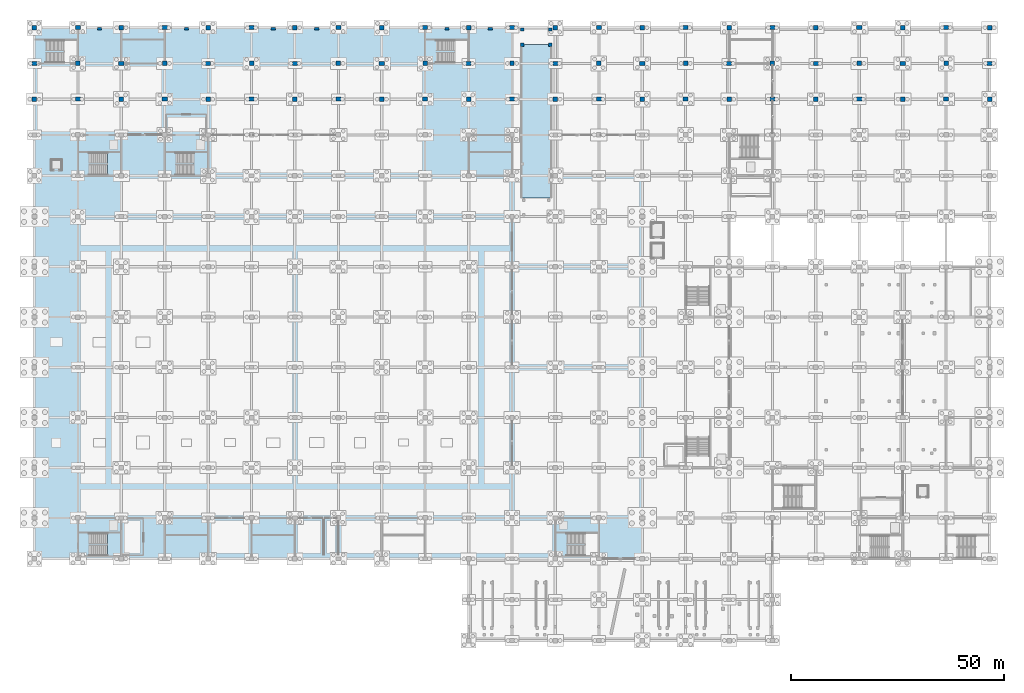
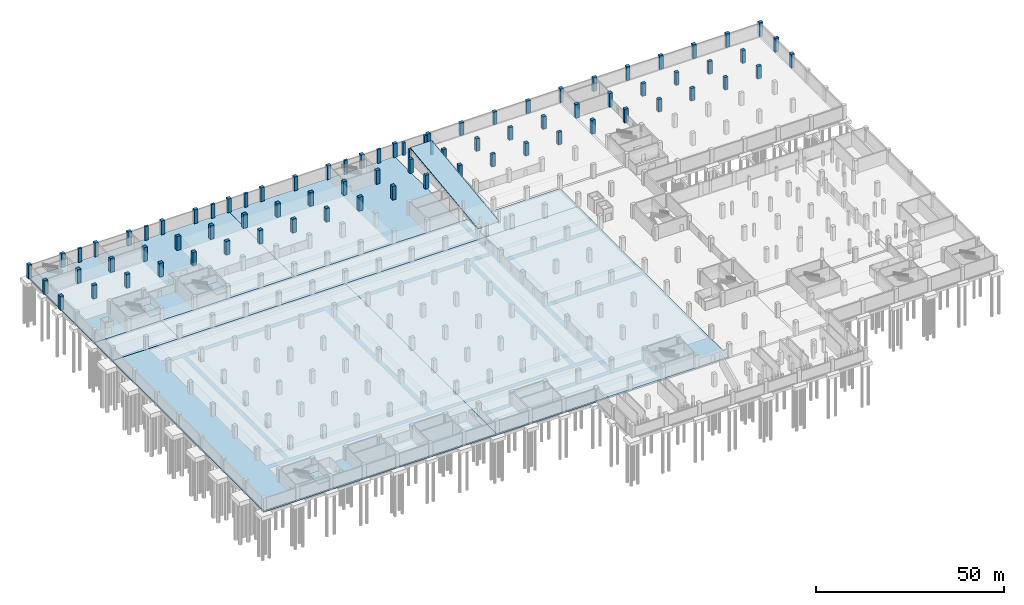
# One storey, part 25 of 52: 79 columns, 10 slabs, 3 elements without a shape of their own.
"""IFC4 building model written with IfcOpenShell, lengths in metres."""

from ifc_helpers import new_model, si_unit, direction, frame, origin, origin_2d, place, context, subcontext, project, spatial, polyline, rectangle, outline, extrude, material, layer, layer_set, material_profile, profile_set, type_object, element, aggregate, save


model = new_model("IFC4")

# Units and contexts
model_context = context("Model", 3, precision=1e-05, world=origin(), true_north=direction((0.0, 1.0)))
body_context = subcontext(model_context, "Body", "Model", "MODEL_VIEW")
ifc_project = project(units=[si_unit("LENGTHUNIT", "METRE"), si_unit("AREAUNIT", "SQUARE_METRE"), si_unit("VOLUMEUNIT", "CUBIC_METRE"), si_unit("PLANEANGLEUNIT", "RADIAN"), si_unit("MASSUNIT", "GRAM", prefix="KILO")], contexts=[model_context])

# Site, building, storey
site_placement = place(None, origin())
site = spatial("IfcSite", under=ifc_project, at=site_placement, CompositionType="ELEMENT")
building_placement = place(site_placement, origin())
building = spatial("IfcBuilding", under=site, at=building_placement, Name="Brelvane Convention Centre", CompositionType="ELEMENT")
storey_placement = place(building_placement, frame((0.0, 0.0, -4.5)))
storey = spatial("IfcBuildingStorey", under=building, at=storey_placement, Name="B1", CompositionType="ELEMENT", Elevation=-4.5)

# Columns
ifc_material_1 = material(Name="Concrete M50", Category="concrete")
ifc_material_profile_1 = material_profile(ifc_material_1, rectangle(XDim=1.050048828125, YDim=1.050048828125, at=origin_2d()), Name="RC 1050x1050")
ifc_profile_set_1 = profile_set([ifc_material_profile_1], Name="Concrete M50")
column_type_1 = type_object("IfcColumnType", Name="RC Column C-RC1 (RC 1050x1050)", PredefinedType="COLUMN", material=ifc_profile_set_1)
for number, where, z_axis, x_axis, name in (
    (1, (0.0, 127.199951171875, 0.0), (0.0, 0.0, 1.0), (1.0, 0.0, 0.0), "Column 1-N (B1)"),
    (2, (0.0, 144.0, 0.0), (0.0, 0.0, 1.0), (1.0, 0.0, 0.0), "Column 1-Q (B1)"),
    (3, (10.199951171875, 135.60009765625, 0.0), (0.0, 0.0, 1.0), (1.0, 0.0, 0.0), "Column 2-P (B1)"),
    (4, (20.39990234375, 127.199951171875, 0.0), (0.0, 0.0, 1.0), (1.0, 0.0, 0.0), "Column 3-N (B1)"),
    (5, (20.39990234375, 144.0, 0.0), (0.0, 0.0, 1.0), (1.0, 0.0, 0.0), "Column 3-Q (B1)"),
    (6, (30.60009765625, 135.60009765625, 0.0), (0.0, 0.0, 1.0), (1.0, 0.0, 0.0), "Column 4-P (B1)"),
    (7, (40.800048828125, 127.199951171875, 0.0), (0.0, 0.0, 1.0), (1.0, 0.0, 0.0), "Column 5-N (B1)"),
    (8, (40.800048828125, 144.0, 0.0), (0.0, 0.0, 1.0), (1.0, 0.0, 0.0), "Column 5-Q (B1)"),
    (9, (51.0, 135.60009765625, 0.0), (0.0, 0.0, 1.0), (1.0, 0.0, 0.0), "Column 6-P (B1)"),
    (10, (61.199951171875, 127.199951171875, 0.0), (0.0, 0.0, 1.0), (1.0, 0.0, 0.0), "Column 7-N (B1)"),
    (11, (61.199951171875, 144.0, 0.0), (0.0, 0.0, 1.0), (1.0, 0.0, 0.0), "Column 7-Q (B1)"),
    (12, (71.39990234375, 135.60009765625, 0.0), (0.0, 0.0, 1.0), (1.0, 0.0, 0.0), "Column 8-P (B1)"),
    (13, (81.60009765625, 127.199951171875, 0.0), (0.0, 0.0, 1.0), (1.0, 0.0, 0.0), "Column 9-N (B1)"),
    (14, (81.60009765625, 144.0, 0.0), (0.0, 0.0, 1.0), (1.0, 0.0, 0.0), "Column 9-Q (B1)"),
    (15, (91.800048828125, 135.60009765625, 0.0), (0.0, 0.0, 1.0), (1.0, 0.0, 0.0), "Column 10-P (B1)"),
    (16, (102.0, 127.199951171875, 0.0), (0.0, 0.0, 1.0), (1.0, 0.0, 0.0), "Column 11-N (B1)"),
    (17, (102.0, 144.0, 0.0), (0.0, 0.0, 1.0), (1.0, 0.0, 0.0), "Column 11-Q (B1)"),
    (18, (112.199951171875, 135.60009765625, 0.0), (0.0, 0.0, 1.0), (1.0, 0.0, 0.0), "Column 12-P (B1)"),
):
    element("IfcColumn", number, at=place(storey_placement, frame(where, z_axis=z_axis, x_axis=x_axis)), inside=storey, type_object=column_type_1, Name=name, PredefinedType="COLUMN", context=body_context, shape_type="SweptSolid", body=[
        extrude(rectangle(XDim=1.050048828125, YDim=1.050048828125, at=origin_2d()), origin(), (0.0, 0.0, 1.0), 4.5),
    ])
for number, where, z_axis, x_axis, name in (
    (19, (122.39990234375, 127.199951171875, 0.0), (0.0, 0.0, 1.0), (1.0, 0.0, 0.0), "Column 13-N (B1)"),
    (20, (122.39990234375, 144.0, 0.0), (0.0, 0.0, 1.0), (1.0, 0.0, 0.0), "Column 13-Q (B1)"),
    (21, (132.60009765625, 135.60009765625, 0.0), (0.0, 0.0, 1.0), (1.0, 0.0, 0.0), "Column 14-P (B1)"),
    (22, (142.800048828125, 127.199951171875, 0.0), (0.0, 0.0, 1.0), (1.0, 0.0, 0.0), "Column 15-N (B1)"),
    (23, (142.800048828125, 144.0, 0.0), (0.0, 0.0, 1.0), (1.0, 0.0, 0.0), "Column 15-Q (B1)"),
    (24, (153.0, 135.60009765625, 0.0), (0.0, 0.0, 1.0), (1.0, 0.0, 0.0), "Column 16-P (B1)"),
):
    element("IfcColumn", number, at=place(storey_placement, frame(where, z_axis=z_axis, x_axis=x_axis)), inside=storey, type_object=column_type_1, Name=name, PredefinedType="COLUMN", context=body_context, shape_type="SweptSolid", body=[
        extrude(rectangle(XDim=1.050048828125, YDim=1.050048828125, at=origin_2d()), origin(), (0.0, 0.0, 1.0), 4.10009765625),
    ])
for number, where, z_axis, x_axis, name in (
    (25, (163.199951171875, 127.199951171875, 0.0), (0.0, 0.0, 1.0), (1.0, 0.0, 0.0), "Column 17-N (B1)"),
    (26, (163.199951171875, 144.0, 0.0), (0.0, 0.0, 1.0), (1.0, 0.0, 0.0), "Column 17-Q (B1)"),
    (27, (173.39990234375, 135.60009765625, 0.0), (0.0, 0.0, 1.0), (1.0, 0.0, 0.0), "Column 18-P (B1)"),
):
    element("IfcColumn", number, at=place(storey_placement, frame(where, z_axis=z_axis, x_axis=x_axis)), inside=storey, type_object=column_type_1, Name=name, PredefinedType="COLUMN", context=body_context, shape_type="SweptSolid", body=[
        extrude(rectangle(XDim=1.050048828125, YDim=1.050048828125, at=origin_2d()), origin(), (0.0, 0.0, 1.0), 4.5),
    ])
column_1_placement = place(storey_placement, frame((183.60009765625, 127.199951171875, 0.0), z_axis=(0.0, 0.0, 1.0), x_axis=(1.0, 0.0, 0.0)))
element("IfcColumn", 28, at=column_1_placement, inside=storey, type_object=column_type_1, Name="Column 19-N (B1)", PredefinedType="COLUMN", context=body_context, shape_type="SweptSolid", body=[
    extrude(rectangle(XDim=1.050048828125, YDim=1.050048828125, at=origin_2d()), origin(), (0.0, 0.0, 1.0), 4.054931640625),
])
column_2_placement = place(storey_placement, frame((183.60009765625, 144.0, 0.0), z_axis=(0.0, 0.0, 1.0), x_axis=(1.0, 0.0, 0.0)))
element("IfcColumn", 29, at=column_2_placement, inside=storey, type_object=column_type_1, Name="Column 19-Q (B1)", PredefinedType="COLUMN", context=body_context, shape_type="SweptSolid", body=[
    extrude(rectangle(XDim=1.050048828125, YDim=1.050048828125, at=origin_2d()), origin(), (0.0, 0.0, 1.0), 4.5),
])
for number, where, z_axis, x_axis, name in (
    (30, (193.800048828125, 135.60009765625, 0.0), (0.0, 0.0, 1.0), (1.0, 0.0, 0.0), "Column 20-P (B1)"),
    (31, (204.0, 127.199951171875, 0.0), (0.0, 0.0, 1.0), (1.0, 0.0, 0.0), "Column 21-N (B1)"),
):
    element("IfcColumn", number, at=place(storey_placement, frame(where, z_axis=z_axis, x_axis=x_axis)), inside=storey, type_object=column_type_1, Name=name, PredefinedType="COLUMN", context=body_context, shape_type="SweptSolid", body=[
        extrude(rectangle(XDim=1.050048828125, YDim=1.050048828125, at=origin_2d()), origin(), (0.0, 0.0, 1.0), 4.054931640625),
    ])
column_3_placement = place(storey_placement, frame((204.0, 144.0, 0.0), z_axis=(0.0, 0.0, 1.0), x_axis=(1.0, 0.0, 0.0)))
element("IfcColumn", 32, at=column_3_placement, inside=storey, type_object=column_type_1, Name="Column 21-Q (B1)", PredefinedType="COLUMN", context=body_context, shape_type="SweptSolid", body=[
    extrude(rectangle(XDim=1.050048828125, YDim=1.050048828125, at=origin_2d()), origin(), (0.0, 0.0, 1.0), 4.5),
])
column_4_placement = place(storey_placement, frame((214.199951171875, 135.60009765625, 0.0), z_axis=(0.0, 0.0, 1.0), x_axis=(1.0, 0.0, 0.0)))
element("IfcColumn", 33, at=column_4_placement, inside=storey, type_object=column_type_1, Name="Column 22-P (B1)", PredefinedType="COLUMN", context=body_context, shape_type="SweptSolid", body=[
    extrude(rectangle(XDim=1.050048828125, YDim=1.050048828125, at=origin_2d()), origin(), (0.0, 0.0, 1.0), 4.054931640625),
])
for number, where, z_axis, x_axis, name in (
    (34, (224.39990234375, 127.199951171875, 0.0), (0.0, 0.0, 1.0), (1.0, 0.0, 0.0), "Column 23-N (B1)"),
    (35, (224.39990234375, 144.0, 0.0), (0.0, 0.0, 1.0), (1.0, 0.0, 0.0), "Column 23-Q (B1)"),
):
    element("IfcColumn", number, at=place(storey_placement, frame(where, z_axis=z_axis, x_axis=x_axis)), inside=storey, type_object=column_type_1, Name=name, PredefinedType="COLUMN", context=body_context, shape_type="SweptSolid", body=[
        extrude(rectangle(XDim=1.050048828125, YDim=1.050048828125, at=origin_2d()), origin(), (0.0, 0.0, 1.0), 4.5),
    ])
ifc_material_2 = material(Name="Concrete M50", Category="concrete")
ifc_material_profile_2 = material_profile(ifc_material_2, rectangle(XDim=0.75, YDim=0.75, at=origin_2d()), Name="RC 750x750")
ifc_profile_set_2 = profile_set([ifc_material_profile_2], Name="Concrete M50")
column_type_2 = type_object("IfcColumnType", Name="RC Column C-RC3 (RC 750x750)", PredefinedType="COLUMN", material=ifc_profile_set_2)
for number, where, z_axis, x_axis, name in (
    (36, (114.60009765625, 140.0, 0.0), (0.0, 0.0, 1.0), (1.0, 0.0, 0.0), "Service Ramp Apron Support Column 2"),
    (37, (121.199951171875, 140.0, 0.0), (0.0, 0.0, 1.0), (1.0, 0.0, 0.0), "Service Ramp Apron Support Column 3"),
    (38, (114.60009765625, 143.60009765625, 0.0), (0.0, 0.0, 1.0), (1.0, 0.0, 0.0), "Service Ramp Apron Support Column 4"),
    (39, (121.199951171875, 143.60009765625, 0.0), (0.0, 0.0, 1.0), (1.0, 0.0, 0.0), "Service Ramp Apron Support Column 5"),
):
    element("IfcColumn", number, at=place(storey_placement, frame(where, z_axis=z_axis, x_axis=x_axis)), inside=storey, type_object=column_type_2, Name=name, PredefinedType="COLUMN", context=body_context, shape_type="SweptSolid", body=[
        extrude(rectangle(XDim=0.75, YDim=0.75, at=origin_2d()), origin(), (0.0, 0.0, 1.0), 4.10009765625),
    ])
ifc_material_3 = material(Name="Concrete M50", Category="concrete")
ifc_material_profile_3 = material_profile(ifc_material_3, rectangle(XDim=1.199951171875, YDim=0.89990234375, at=origin_2d()), Name="RC 1200x900")
ifc_profile_set_3 = profile_set([ifc_material_profile_3], Name="Concrete M50")
column_type_3 = type_object("IfcColumnType", Name="RC Column C-RC5 (RC 1200x900)", PredefinedType="COLUMN", material=ifc_profile_set_3)
for number, where, z_axis, x_axis, name in (
    (40, (0.0, 135.60009765625, 0.0), (0.0, 0.0, 1.0), (1.0, 0.0, 0.0), "Column 1-P (B1)"),
    (41, (10.199951171875, 127.199951171875, 0.0), (0.0, 0.0, 1.0), (1.0, 0.0, 0.0), "Column 2-N (B1)"),
    (42, (10.199951171875, 144.0, 0.0), (0.0, 0.0, 1.0), (1.0, 0.0, 0.0), "Column 2-Q (B1)"),
    (43, (20.39990234375, 135.60009765625, 0.0), (0.0, 0.0, 1.0), (1.0, 0.0, 0.0), "Column 3-P (B1)"),
    (44, (30.60009765625, 127.199951171875, 0.0), (0.0, 0.0, 1.0), (1.0, 0.0, 0.0), "Column 4-N (B1)"),
    (45, (30.60009765625, 144.0, 0.0), (0.0, 0.0, 1.0), (1.0, 0.0, 0.0), "Column 4-Q (B1)"),
    (46, (40.800048828125, 135.60009765625, 0.0), (0.0, 0.0, 1.0), (1.0, 0.0, 0.0), "Column 5-P (B1)"),
    (47, (51.0, 127.199951171875, 0.0), (0.0, 0.0, 1.0), (1.0, 0.0, 0.0), "Column 6-N (B1)"),
    (48, (51.0, 144.0, 0.0), (0.0, 0.0, 1.0), (1.0, 0.0, 0.0), "Column 6-Q (B1)"),
    (49, (61.199951171875, 135.60009765625, 0.0), (0.0, 0.0, 1.0), (1.0, 0.0, 0.0), "Column 7-P (B1)"),
    (50, (71.39990234375, 127.199951171875, 0.0), (0.0, 0.0, 1.0), (1.0, 0.0, 0.0), "Column 8-N (B1)"),
    (51, (71.39990234375, 144.0, 0.0), (0.0, 0.0, 1.0), (1.0, 0.0, 0.0), "Column 8-Q (B1)"),
    (52, (81.60009765625, 135.60009765625, 0.0), (0.0, 0.0, 1.0), (1.0, 0.0, 0.0), "Column 9-P (B1)"),
    (53, (91.800048828125, 127.199951171875, 0.0), (0.0, 0.0, 1.0), (1.0, 0.0, 0.0), "Column 10-N (B1)"),
    (54, (91.800048828125, 144.0, 0.0), (0.0, 0.0, 1.0), (1.0, 0.0, 0.0), "Column 10-Q (B1)"),
    (55, (102.0, 135.60009765625, 0.0), (0.0, 0.0, 1.0), (1.0, 0.0, 0.0), "Column 11-P (B1)"),
    (56, (112.199951171875, 127.199951171875, 0.0), (0.0, 0.0, 1.0), (1.0, 0.0, 0.0), "Column 12-N (B1)"),
    (57, (112.199951171875, 144.0, 0.0), (0.0, 0.0, 1.0), (1.0, 0.0, 0.0), "Column 12-Q (B1)"),
):
    element("IfcColumn", number, at=place(storey_placement, frame(where, z_axis=z_axis, x_axis=x_axis)), inside=storey, type_object=column_type_3, Name=name, PredefinedType="COLUMN", context=body_context, shape_type="SweptSolid", body=[
        extrude(rectangle(XDim=1.199951171875, YDim=0.89990234375, at=origin_2d()), origin(), (0.0, 0.0, 1.0), 4.5),
    ])
for number, where, z_axis, x_axis, name in (
    (58, (122.39990234375, 135.60009765625, 0.0), (0.0, 0.0, 1.0), (1.0, 0.0, 0.0), "Column 13-P (B1)"),
    (59, (132.60009765625, 127.199951171875, 0.0), (0.0, 0.0, 1.0), (1.0, 0.0, 0.0), "Column 14-N (B1)"),
    (60, (132.60009765625, 144.0, 0.0), (0.0, 0.0, 1.0), (1.0, 0.0, 0.0), "Column 14-Q (B1)"),
    (61, (142.800048828125, 135.60009765625, 0.0), (0.0, 0.0, 1.0), (1.0, 0.0, 0.0), "Column 15-P (B1)"),
    (62, (153.0, 127.199951171875, 0.0), (0.0, 0.0, 1.0), (1.0, 0.0, 0.0), "Column 16-N (B1)"),
    (63, (153.0, 144.0, 0.0), (0.0, 0.0, 1.0), (1.0, 0.0, 0.0), "Column 16-Q (B1)"),
):
    element("IfcColumn", number, at=place(storey_placement, frame(where, z_axis=z_axis, x_axis=x_axis)), inside=storey, type_object=column_type_3, Name=name, PredefinedType="COLUMN", context=body_context, shape_type="SweptSolid", body=[
        extrude(rectangle(XDim=1.199951171875, YDim=0.89990234375, at=origin_2d()), origin(), (0.0, 0.0, 1.0), 4.10009765625),
    ])
for number, where, z_axis, x_axis, name in (
    (64, (163.199951171875, 135.60009765625, 0.0), (0.0, 0.0, 1.0), (1.0, 0.0, 0.0), "Column 17-P (B1)"),
    (65, (173.39990234375, 127.199951171875, 0.0), (0.0, 0.0, 1.0), (1.0, 0.0, 0.0), "Column 18-N (B1)"),
    (66, (173.39990234375, 144.0, 0.0), (0.0, 0.0, 1.0), (1.0, 0.0, 0.0), "Column 18-Q (B1)"),
):
    element("IfcColumn", number, at=place(storey_placement, frame(where, z_axis=z_axis, x_axis=x_axis)), inside=storey, type_object=column_type_3, Name=name, PredefinedType="COLUMN", context=body_context, shape_type="SweptSolid", body=[
        extrude(rectangle(XDim=1.199951171875, YDim=0.89990234375, at=origin_2d()), origin(), (0.0, 0.0, 1.0), 4.5),
    ])
for number, where, z_axis, x_axis, name in (
    (67, (183.60009765625, 135.60009765625, 0.0), (0.0, 0.0, 1.0), (1.0, 0.0, 0.0), "Column 19-P (B1)"),
    (68, (193.800048828125, 127.199951171875, 0.0), (0.0, 0.0, 1.0), (1.0, 0.0, 0.0), "Column 20-N (B1)"),
):
    element("IfcColumn", number, at=place(storey_placement, frame(where, z_axis=z_axis, x_axis=x_axis)), inside=storey, type_object=column_type_3, Name=name, PredefinedType="COLUMN", context=body_context, shape_type="SweptSolid", body=[
        extrude(rectangle(XDim=1.199951171875, YDim=0.89990234375, at=origin_2d()), origin(), (0.0, 0.0, 1.0), 4.054931640625),
    ])
column_5_placement = place(storey_placement, frame((193.800048828125, 144.0, 0.0), z_axis=(0.0, 0.0, 1.0), x_axis=(1.0, 0.0, 0.0)))
element("IfcColumn", 69, at=column_5_placement, inside=storey, type_object=column_type_3, Name="Column 20-Q (B1)", PredefinedType="COLUMN", context=body_context, shape_type="SweptSolid", body=[
    extrude(rectangle(XDim=1.199951171875, YDim=0.89990234375, at=origin_2d()), origin(), (0.0, 0.0, 1.0), 4.5),
])
for number, where, z_axis, x_axis, name in (
    (70, (204.0, 135.60009765625, 0.0), (0.0, 0.0, 1.0), (1.0, 0.0, 0.0), "Column 21-P (B1)"),
    (71, (214.199951171875, 127.199951171875, 0.0), (0.0, 0.0, 1.0), (1.0, 0.0, 0.0), "Column 22-N (B1)"),
):
    element("IfcColumn", number, at=place(storey_placement, frame(where, z_axis=z_axis, x_axis=x_axis)), inside=storey, type_object=column_type_3, Name=name, PredefinedType="COLUMN", context=body_context, shape_type="SweptSolid", body=[
        extrude(rectangle(XDim=1.199951171875, YDim=0.89990234375, at=origin_2d()), origin(), (0.0, 0.0, 1.0), 4.054931640625),
    ])
for number, where, z_axis, x_axis, name in (
    (72, (214.199951171875, 144.0, 0.0), (0.0, 0.0, 1.0), (1.0, 0.0, 0.0), "Column 22-Q (B1)"),
    (73, (224.39990234375, 135.60009765625, 0.0), (0.0, 0.0, 1.0), (1.0, 0.0, 0.0), "Column 23-P (B1)"),
):
    element("IfcColumn", number, at=place(storey_placement, frame(where, z_axis=z_axis, x_axis=x_axis)), inside=storey, type_object=column_type_3, Name=name, PredefinedType="COLUMN", context=body_context, shape_type="SweptSolid", body=[
        extrude(rectangle(XDim=1.199951171875, YDim=0.89990234375, at=origin_2d()), origin(), (0.0, 0.0, 1.0), 4.5),
    ])
ifc_material_4 = material(Name="Concrete M50", Category="concrete")
ifc_material_profile_4 = material_profile(ifc_material_4, rectangle(XDim=1.0, YDim=0.60009765625, at=origin_2d()), Name="RC 1000x600")
ifc_profile_set_4 = profile_set([ifc_material_profile_4], Name="Concrete M50")
column_type_4 = type_object("IfcColumnType", Name="RC Column PL-RC1 (RC 1000x600)", PredefinedType="PILASTER", material=ifc_profile_set_4)
for number, where, z_axis, x_axis, name in (
    (74, (15.300048828125, 143.699951171875, 0.0), (0.0, 0.0, 1.0), (1.0, 0.0, 0.0), "Rear Wing Structural Pier P1 (B1)"),
    (75, (35.699951171875, 143.699951171875, 0.0), (0.0, 0.0, 1.0), (1.0, 0.0, 0.0), "Rear Wing Structural Pier P2 (B1)"),
    (76, (56.10009765625, 143.699951171875, 0.0), (0.0, 0.0, 1.0), (1.0, 0.0, 0.0), "Rear Wing Structural Pier P3 (B1)"),
    (77, (66.300048828125, 143.699951171875, 0.0), (0.0, 0.0, 1.0), (1.0, 0.0, 0.0), "Rear Wing Structural Pier P4 (B1)"),
    (78, (96.89990234375, 143.699951171875, 0.0), (0.0, 0.0, 1.0), (1.0, 0.0, 0.0), "Rear Wing Structural Pier P5 (B1)"),
    (79, (107.10009765625, 143.699951171875, 0.0), (0.0, 0.0, 1.0), (1.0, 0.0, 0.0), "Rear Wing Structural Pier P6 (B1)"),
):
    element("IfcColumn", number, at=place(storey_placement, frame(where, z_axis=z_axis, x_axis=x_axis)), inside=storey, type_object=column_type_4, Name=name, PredefinedType="PILASTER", context=body_context, shape_type="SweptSolid", body=[
        extrude(rectangle(XDim=1.0, YDim=0.60009765625, at=origin_2d()), origin(), (0.0, 0.0, 1.0), 4.5),
    ])

# Stair, slab
ifc_material_5 = material(Name="Concrete M40", Category="concrete")
stair_type = type_object("IfcStairType", Name="Exit Stair ST-CORE", PredefinedType="HALF_TURN_STAIR", material=ifc_material_5)
stair_1_placement = place(storey_placement, origin())
stair_1 = element("IfcStair", 80, at=stair_1_placement, inside=storey, type_object=stair_type, Name="Exit Stair ST-01 (B1 to L00)", PredefinedType="HALF_TURN_STAIR")
ifc_material_6 = material(Name="Concrete M40", Category="concrete")
ifc_layer_1 = layer(ifc_material_6, 0.199951171875)
ifc_layer_set_1 = layer_set([ifc_layer_1], Name="Concrete M40")
slab_type_1 = type_object("IfcSlabType", Name="Stair Landing SL-LND-200", PredefinedType="LANDING", material=ifc_layer_set_1)
slab_1_placement = place(storey_placement, frame((0.0, 0.0, 2.050048828125)))
slab_1 = element("IfcSlab", 81, at=slab_1_placement, type_object=slab_type_1, Name="Stair ST-01 B1 Half Landing", PredefinedType="LANDING", context=body_context, shape_type="SweptSolid", body=[
    extrude(outline(polyline([(17.1298828125, 19.8798828125), (20.320068359375, 19.8798828125), (20.320068359375, 25.320068359375), (17.1298828125, 25.320068359375), (17.1298828125, 19.8798828125)])), origin(), (0.0, 0.0, 1.0), 0.199951171875),
])
aggregate(stair_1, [slab_1])

stair_2_placement = place(storey_placement, origin())
stair_2 = element("IfcStair", 82, at=stair_2_placement, inside=storey, type_object=stair_type, Name="Exit Stair ST-06 (B1 to L00)", PredefinedType="HALF_TURN_STAIR")
slab_2_placement = place(storey_placement, frame((0.0, 0.0, 2.050048828125)))
slab_2 = element("IfcSlab", 83, at=slab_2_placement, type_object=slab_type_1, Name="Stair ST-06 B1 Half Landing", PredefinedType="LANDING", context=body_context, shape_type="SweptSolid", body=[
    extrude(outline(polyline([(17.1298828125, 109.280029296875), (20.320068359375, 109.280029296875), (20.320068359375, 114.719970703125), (17.1298828125, 114.719970703125), (17.1298828125, 109.280029296875)])), origin(), (0.0, 0.0, 1.0), 0.199951171875),
])
aggregate(stair_2, [slab_2])

stair_3_placement = place(storey_placement, origin())
stair_3 = element("IfcStair", 84, at=stair_3_placement, inside=storey, type_object=stair_type, Name="Exit Stair ST-07 (B1 to L00)", PredefinedType="HALF_TURN_STAIR")
slab_3_placement = place(storey_placement, frame((0.0, 0.0, 2.050048828125)))
slab_3 = element("IfcSlab", 85, at=slab_3_placement, type_object=slab_type_1, Name="Stair ST-07 B1 Half Landing", PredefinedType="LANDING", context=body_context, shape_type="SweptSolid", body=[
    extrude(outline(polyline([(37.530029296875, 109.280029296875), (40.719970703125, 109.280029296875), (40.719970703125, 114.719970703125), (37.530029296875, 114.719970703125), (37.530029296875, 109.280029296875)])), origin(), (0.0, 0.0, 1.0), 0.199951171875),
])
aggregate(stair_3, [slab_3])

# Slabs
ifc_material_7 = material(Name="Concrete M40", Category="concrete")
ifc_layer_2 = layer(ifc_material_7, 0.449951171875)
ifc_layer_set_2 = layer_set([ifc_layer_2], Name="Concrete M40")
slab_type_2 = type_object("IfcSlabType", Name="Structural Slab SL-MAT-450", PredefinedType="BASESLAB", material=ifc_layer_set_2)
slab_4_placement = place(storey_placement, frame((0.0, 0.0, -0.449951171875)))
element("IfcSlab", 86, at=slab_4_placement, inside=storey, type_object=slab_type_2, Name="B1 Mat Slab V1W", PredefinedType="BASESLAB", context=body_context, shape_type="SweptSolid", body=[
    extrude(outline(polyline([(0.0, 19.199951171875), (71.39990234375, 19.199951171875), (71.39990234375, 99.60009765625), (0.0, 99.60009765625), (0.0, 19.199951171875)])), origin(), (0.0, 0.0, 1.0), 0.449951171875),
])
slab_5_placement = place(storey_placement, frame((0.0, 0.0, -0.449951171875)))
element("IfcSlab", 87, at=slab_5_placement, inside=storey, type_object=slab_type_2, Name="B1 Mat Slab V1E", PredefinedType="BASESLAB", context=body_context, shape_type="SweptSolid", body=[
    extrude(outline(polyline([(71.39990234375, 19.199951171875), (142.800048828125, 19.199951171875), (142.800048828125, 99.60009765625), (71.39990234375, 99.60009765625), (71.39990234375, 19.199951171875)])), origin(), (0.0, 0.0, 1.0), 0.449951171875),
])
slab_6_placement = place(storey_placement, frame((0.0, 0.0, -0.449951171875)))
element("IfcSlab", 88, at=slab_6_placement, inside=storey, type_object=slab_type_2, Name="B1 Mat Slab V4W", PredefinedType="BASESLAB", context=body_context, shape_type="SweptSolid", body=[
    extrude(outline(polyline([(0.0, 109.199951171875), (61.199951171875, 109.199951171875), (61.199951171875, 144.0), (0.0, 144.0), (0.0, 109.199951171875)])), origin(), (0.0, 0.0, 1.0), 0.449951171875),
])
slab_7_placement = place(storey_placement, frame((0.0, 0.0, -0.449951171875)))
element("IfcSlab", 89, at=slab_7_placement, inside=storey, type_object=slab_type_2, Name="B1 Mat Slab V4E", PredefinedType="BASESLAB", context=body_context, shape_type="SweptSolid", body=[
    extrude(outline(polyline([(61.199951171875, 109.199951171875), (112.199951171875, 109.199951171875), (112.199951171875, 144.0), (61.199951171875, 144.0), (61.199951171875, 109.199951171875)])), origin(), (0.0, 0.0, 1.0), 0.449951171875),
])
slab_8_placement = place(storey_placement, frame((0.0, 0.0, -0.449951171875)))
element("IfcSlab", 90, at=slab_8_placement, inside=storey, type_object=slab_type_2, Name="B1 Mat Slab V4L", PredefinedType="BASESLAB", context=body_context, shape_type="SweptSolid", body=[
    extrude(outline(polyline([(0.0, 99.60009765625), (20.39990234375, 99.60009765625), (20.39990234375, 109.199951171875), (0.0, 109.199951171875), (0.0, 99.60009765625)])), origin(), (0.0, 0.0, 1.0), 0.449951171875),
])
slab_9_placement = place(storey_placement, frame((0.0, 0.0, -0.449951171875)))
element("IfcSlab", 91, at=slab_9_placement, inside=storey, type_object=slab_type_2, Name="B1 Mat Slab V4M", PredefinedType="BASESLAB", context=body_context, shape_type="SweptSolid", body=[
    extrude(outline(polyline([(20.39990234375, 99.60009765625), (142.800048828125, 99.60009765625), (142.800048828125, 109.199951171875), (20.39990234375, 109.199951171875), (20.39990234375, 99.60009765625)])), origin(), (0.0, 0.0, 1.0), 0.449951171875),
])
ifc_material_8 = material(Name="Concrete M40", Category="concrete")
ifc_layer_3 = layer(ifc_material_8, 0.300048828125)
ifc_layer_set_3 = layer_set([ifc_layer_3], Name="Concrete M40")
slab_type_3 = type_object("IfcSlabType", Name="Structural Slab SL-RAMP-300", PredefinedType="BASESLAB", material=ifc_layer_set_3)
slab_10_placement = place(storey_placement, frame((114.60009765625, 103.949951171875, 0.0), z_axis=(0.0, -0.123865179081, 0.99229905644), x_axis=(1.0, 0.0, 0.0)))
element("IfcSlab", 92, at=slab_10_placement, inside=storey, type_object=slab_type_3, Name="Vehicle Service Ramp VR-1 Structural Slab", PredefinedType="BASESLAB", context=body_context, shape_type="SweptSolid", body=[
    extrude(outline(polyline([(0.0, 0.0), (6.599853515625, 0.0), (6.599853515625, 36.3298227426201), (0.0, 36.3298227426201), (0.0, 0.0)])), origin(), (0.0, 0.0, -1.0), 0.300048828125),
])

save(model, "model.ifc")
